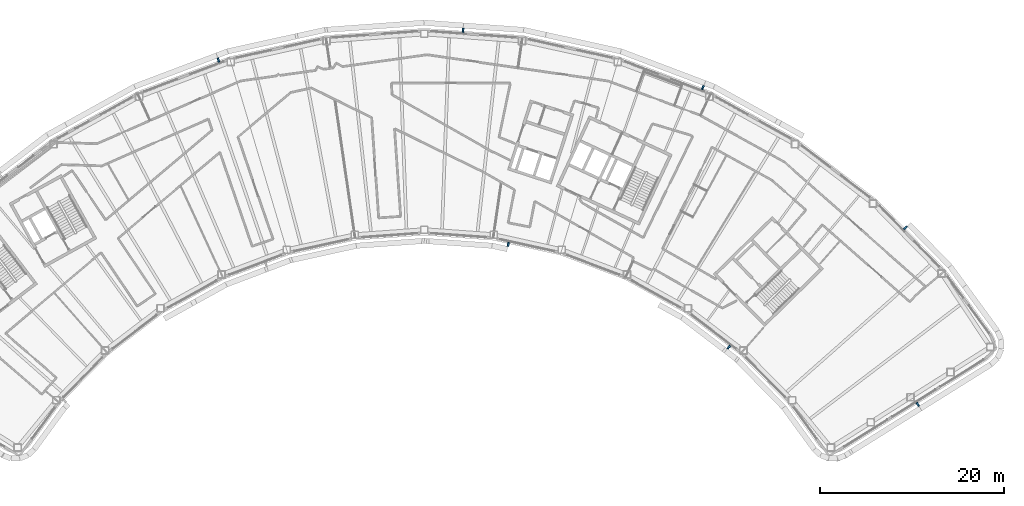
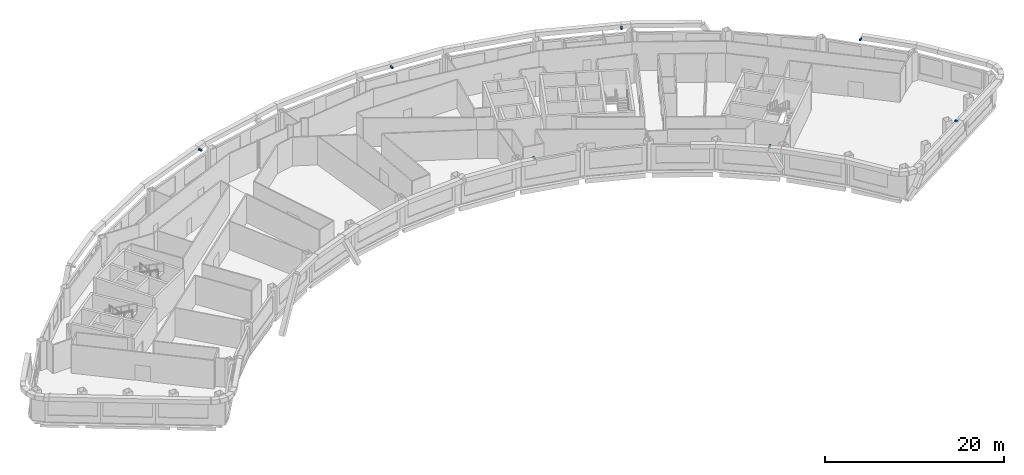
# One storey, part 13 of 16: 7 discrete accessories.
"""IFC4 building model written with IfcOpenShell, lengths in metres."""

from ifc_helpers import new_model, si_unit, direction, frame, origin, origin_2d, place, context, subcontext, project, spatial, rectangle, extrude, material, type_object, element, save


model = new_model("IFC4")

# Units and contexts
model_context = context("Model", 3, precision=1e-05, world=origin(), true_north=direction((0.0, 1.0)))
body_context = subcontext(model_context, "Body", "Model", "MODEL_VIEW")
ifc_project = project(units=[si_unit("LENGTHUNIT", "METRE"), si_unit("AREAUNIT", "SQUARE_METRE"), si_unit("VOLUMEUNIT", "CUBIC_METRE"), si_unit("PLANEANGLEUNIT", "RADIAN"), si_unit("MASSUNIT", "GRAM", prefix="KILO")], contexts=[model_context])

# Site, building, storey
site_placement = place(None, origin())
site = spatial("IfcSite", under=ifc_project, at=site_placement, CompositionType="ELEMENT")
building_placement = place(site_placement, origin())
building = spatial("IfcBuilding", under=site, at=building_placement, Name="Tuul Gate Civic Tower", CompositionType="ELEMENT")
storey_placement = place(building_placement, frame((0.0, 0.0, 261.0)))
storey = spatial("IfcBuildingStorey", under=building, at=storey_placement, Name="Level 59", CompositionType="ELEMENT", Elevation=261.0)

# Discrete accessories
ifc_material = material(Name="Stainless steel", Category="steel")
discrete_accessory_type = type_object("IfcDiscreteAccessoryType", Name="Screen bracket", PredefinedType="BRACKET", material=ifc_material)
discrete_accessory_1_placement = place(storey_placement, frame((63.46630859375, -7.66162109375, 3.75), z_axis=(0.0, 0.0, 1.0), x_axis=(0.704901661751, 0.709305045281, 0.0)))
element("IfcDiscreteAccessory", 1, at=discrete_accessory_1_placement, inside=storey, type_object=discrete_accessory_type, Name="Screen bracket 3", PredefinedType="BRACKET", context=body_context, shape_type="SweptSolid", body=[
    extrude(rectangle(XDim=0.449951171875, YDim=0.199951171875, at=origin_2d()), origin(), (0.0, 0.0, 1.0), 0.199951171875),
])
discrete_accessory_2_placement = place(storey_placement, frame((41.385498046875, 7.6171875, 3.75), z_axis=(0.0, 0.0, 1.0), x_axis=(0.407418948828, 0.91324137014, 0.0)))
element("IfcDiscreteAccessory", 2, at=discrete_accessory_2_placement, inside=storey, type_object=discrete_accessory_type, Name="Screen bracket 6", PredefinedType="BRACKET", context=body_context, shape_type="SweptSolid", body=[
    extrude(rectangle(XDim=0.45068359375, YDim=0.199951171875, at=origin_2d()), origin(), (0.0, 0.0, 1.0), 0.199951171875),
])
discrete_accessory_3_placement = place(storey_placement, frame((15.256591796875, 13.844482421875, 3.75), z_axis=(0.0, 0.0, 1.0), x_axis=(0.056806051141, 0.99838523254, 0.0)))
element("IfcDiscreteAccessory", 3, at=discrete_accessory_3_placement, inside=storey, type_object=discrete_accessory_type, Name="Screen bracket 9", PredefinedType="BRACKET", context=body_context, shape_type="SweptSolid", body=[
    extrude(rectangle(XDim=0.4501953125, YDim=0.199951171875, at=origin_2d()), origin(), (0.0, 0.0, 1.0), 0.199951171875),
])
discrete_accessory_4_placement = place(storey_placement, frame((-11.398193359375, 10.614501953125, 3.75), z_axis=(0.0, 0.0, 1.0), x_axis=(-0.301098607806, 0.95359300982, 0.0)))
element("IfcDiscreteAccessory", 4, at=discrete_accessory_4_placement, inside=storey, type_object=discrete_accessory_type, Name="Screen bracket 12", PredefinedType="BRACKET", context=body_context, shape_type="SweptSolid", body=[
    extrude(rectangle(XDim=0.45068359375, YDim=0.199951171875, at=origin_2d()), origin(), (0.0, 0.0, 1.0), 0.199951171875),
])
discrete_accessory_5_placement = place(storey_placement, frame((20.1796875, -9.468994140625, 3.75), z_axis=(0.0, 0.0, 1.0), x_axis=(-0.176686208884, -0.984267231797, 0.0)))
element("IfcDiscreteAccessory", 5, at=discrete_accessory_5_placement, inside=storey, type_object=discrete_accessory_type, Name="Screen bracket 27", PredefinedType="BRACKET", context=body_context, shape_type="SweptSolid", body=[
    extrude(rectangle(XDim=0.4501953125, YDim=0.199951171875, at=origin_2d()), origin(), (0.0, 0.0, 1.0), 0.199951171875),
])
discrete_accessory_6_placement = place(storey_placement, frame((44.209716796875, -20.668212890625, 3.75), z_axis=(0.0, 0.0, 1.0), x_axis=(-0.640723630642, -0.76777159959, 0.0)))
element("IfcDiscreteAccessory", 6, at=discrete_accessory_6_placement, inside=storey, type_object=discrete_accessory_type, Name="Screen bracket 30", PredefinedType="BRACKET", context=body_context, shape_type="SweptSolid", body=[
    extrude(rectangle(XDim=0.450439453125, YDim=0.199951171875, at=origin_2d()), origin(), (0.0, 0.0, 1.0), 0.199951171875),
])
discrete_accessory_7_placement = place(storey_placement, frame((64.81201171875, -26.90673828125, 3.75), z_axis=(0.0, 0.0, 1.0), x_axis=(0.536234927917, -0.844068778052, 0.0)))
element("IfcDiscreteAccessory", 7, at=discrete_accessory_7_placement, inside=storey, type_object=discrete_accessory_type, Name="Screen bracket 33", PredefinedType="BRACKET", context=body_context, shape_type="SweptSolid", body=[
    extrude(rectangle(XDim=0.449951171875, YDim=0.199951171875, at=origin_2d()), origin(), (0.0, 0.0, 1.0), 0.199951171875),
])

save(model, "model.ifc")
